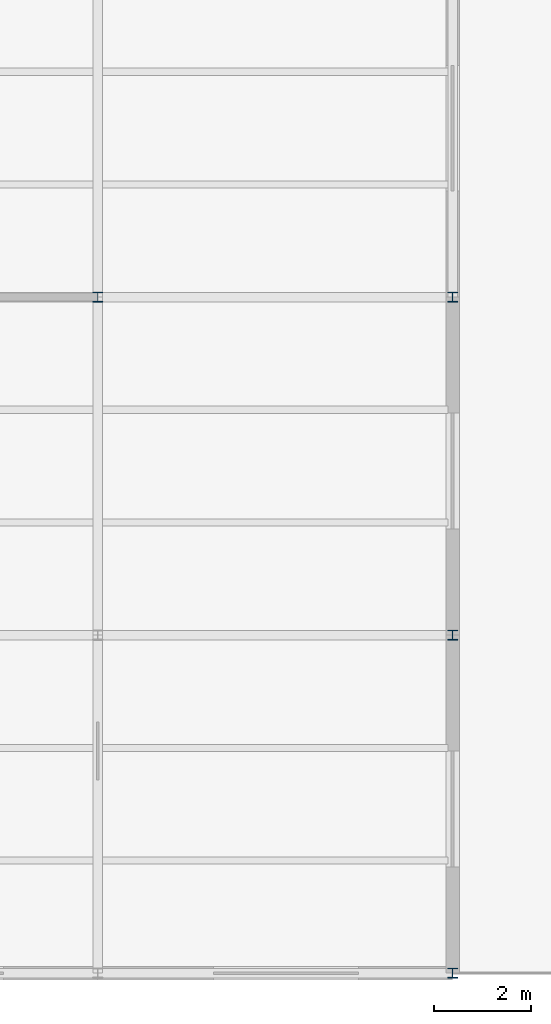
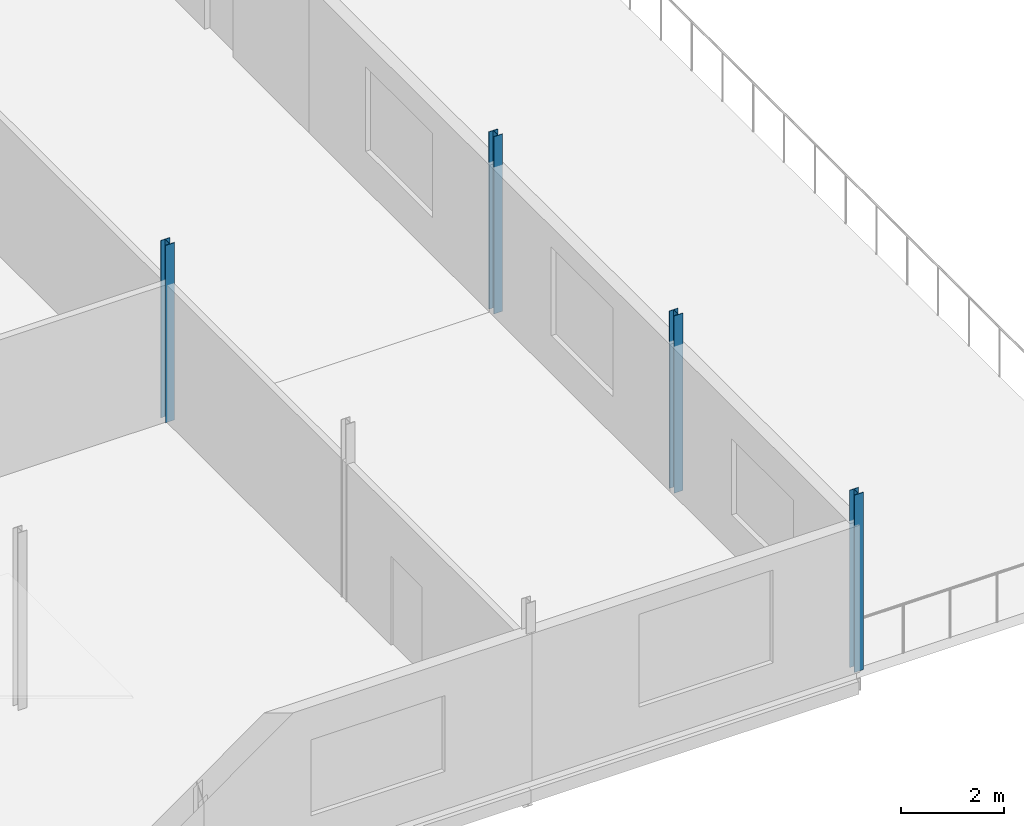
# One storey, part 2 of 10: 4 columns.
"""IFC4 building model written with IfcOpenShell, lengths in metres."""

from ifc_helpers import new_model, si_unit, direction, frame, origin, origin_2d, place, context, subcontext, project, spatial, i_section, extrude, material, material_profile, profile_set, type_object, element, save


model = new_model("IFC4")

# Units and contexts
model_context = context("Model", 3, precision=1e-05, world=origin(), true_north=direction((0.0, 1.0)))
body_context = subcontext(model_context, "Body", "Model", "MODEL_VIEW")
ifc_project = project(units=[si_unit("LENGTHUNIT", "METRE"), si_unit("AREAUNIT", "SQUARE_METRE"), si_unit("VOLUMEUNIT", "CUBIC_METRE"), si_unit("PLANEANGLEUNIT", "RADIAN"), si_unit("MASSUNIT", "GRAM", prefix="KILO")], contexts=[model_context])

# Site, building, storey
site_placement = place(None, origin())
site = spatial("IfcSite", under=ifc_project, at=site_placement, CompositionType="ELEMENT")
building_placement = place(site_placement, origin())
building = spatial("IfcBuilding", under=site, at=building_placement, Name="Kazenagashi Tramway Depot", CompositionType="ELEMENT")
storey_placement = place(building_placement, frame((0.0, 0.0, 19.5)))
storey = spatial("IfcBuildingStorey", under=building, at=storey_placement, Name="L05", CompositionType="ELEMENT", Elevation=19.5)

# Columns
ifc_material = material(Name="Steel SN400B", Category="steel")
ifc_material_profile = material_profile(ifc_material, i_section(OverallWidth=0.2, OverallDepth=0.2, WebThickness=0.008, FlangeThickness=0.012, at=origin_2d()), Name="H-200x200x8x12")
ifc_profile_set = profile_set([ifc_material_profile], Name="Steel SN400B")
column_type = type_object("IfcColumnType", Name="C-07", PredefinedType="COLUMN", material=ifc_profile_set)
for number, where, z_axis, x_axis, name in (
    (1, (22.05, 14.0, 0.0), (0.0, 0.0, 1.0), (1.0, 0.0, 0.0), "Column C-07 COL-0673"),
    (2, (29.4, 0.0, 0.0), (0.0, 0.0, 1.0), (1.0, 0.0, 0.0), "Column C-07 COL-0707"),
    (3, (29.4, 7.0, 0.0), (0.0, 0.0, 1.0), (1.0, 0.0, 0.0), "Column C-07 COL-0712"),
    (4, (29.4, 14.0, 0.0), (0.0, 0.0, 1.0), (1.0, 0.0, 0.0), "Column C-07 COL-0717"),
):
    element("IfcColumn", number, at=place(storey_placement, frame(where, z_axis=z_axis, x_axis=x_axis)), inside=storey, type_object=column_type, Name=name, PredefinedType="COLUMN", context=body_context, shape_type="SweptSolid", body=[
        extrude(i_section(OverallWidth=0.2, OverallDepth=0.2, WebThickness=0.008, FlangeThickness=0.012, at=origin_2d()), origin(), (0.0, 0.0, 1.0), 4.2),
    ])

save(model, "model.ifc")
